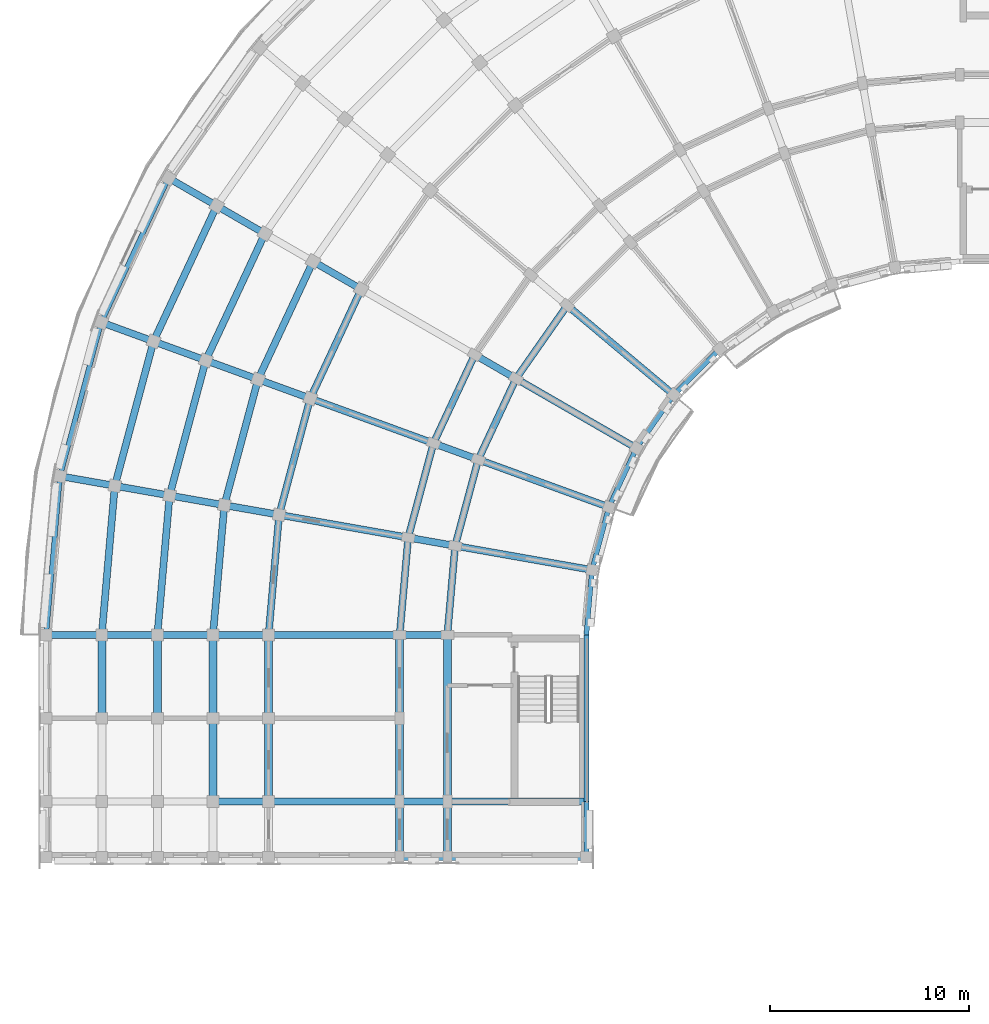
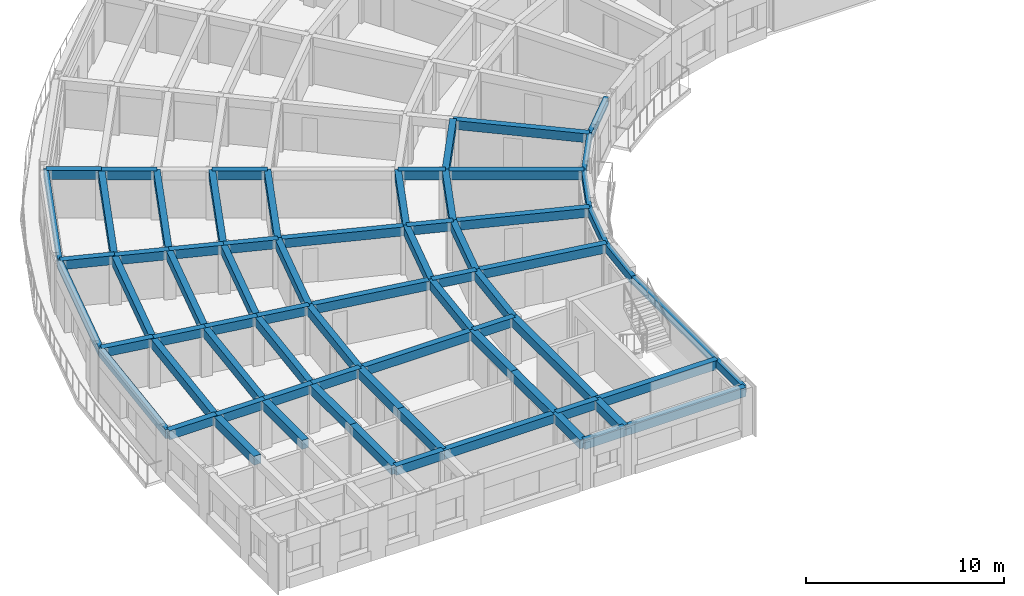
# One storey, part 3 of 36: 72 beams.
"""IFC4 building model written with IfcOpenShell, lengths in metres."""

from ifc_helpers import new_model, si_unit, direction, frame, origin, origin_2d, place, context, subcontext, project, spatial, rectangle, extrude, material, material_profile, profile_set, type_object, element, save


model = new_model("IFC4")

# Units and contexts
model_context = context("Model", 3, precision=1e-05, world=origin(), true_north=direction((0.0, 1.0)))
body_context = subcontext(model_context, "Body", "Model", "MODEL_VIEW")
ifc_project = project(units=[si_unit("LENGTHUNIT", "METRE"), si_unit("AREAUNIT", "SQUARE_METRE"), si_unit("VOLUMEUNIT", "CUBIC_METRE"), si_unit("PLANEANGLEUNIT", "RADIAN"), si_unit("MASSUNIT", "GRAM", prefix="KILO")], contexts=[model_context])

# Site, building, storey
site_placement = place(None, origin())
site = spatial("IfcSite", under=ifc_project, at=site_placement, CompositionType="ELEMENT")
building_placement = place(site_placement, origin())
building = spatial("IfcBuilding", under=site, at=building_placement, Name="Kiranvali Square Residences", CompositionType="ELEMENT")
storey_placement = place(building_placement, frame((0.0, 0.0, 37.050048828125)))
storey = spatial("IfcBuildingStorey", under=building, at=storey_placement, Name="L11", CompositionType="ELEMENT", Elevation=37.050048828125)

# Beams
ifc_material_1 = material(Name="Concrete M40 (40 MPa)", Category="concrete")
ifc_material_profile_1 = material_profile(ifc_material_1, rectangle(XDim=0.35009765625, YDim=0.550048828125, at=origin_2d()), Name="RC 350x550")
ifc_profile_set_1 = profile_set([ifc_material_profile_1], Name="Concrete M40 (40 MPa)")
beam_type_1 = type_object("IfcBeamType", Name="BM-M40-350x550", PredefinedType="BEAM", material=ifc_profile_set_1)
for number, where, z_axis, x_axis, name in (
    (1, (28.43603515625, 104.384033203125, 2.655029296875), (-0.573571637217, -0.819155404658, 0.0), (0.819155404658, -0.573571637217, 0.0), "L11 beam BM-A-L11-C05-R1"),
    (2, (25.8564453125, 100.699951171875, 2.655029296875), (-0.422617978463, -0.906307919131, 0.0), (0.906307919131, -0.422617978463, 0.0), "L11 beam BM-A-L11-C06-R1"),
):
    element("IfcBeam", number, at=place(storey_placement, frame(where, z_axis=z_axis, x_axis=x_axis)), inside=storey, type_object=beam_type_1, Name=name, PredefinedType="BEAM", context=body_context, shape_type="SweptSolid", body=[
        extrude(rectangle(XDim=0.35009765625, YDim=0.550048828125, at=origin_2d()), origin(), (0.0, 0.0, 1.0), 4.497314453125),
    ])
beam_1_placement = place(storey_placement, frame((23.778076171875, 101.89990234375, 2.655029296875), z_axis=(-0.422629854778, -0.906302381024, 0.0), x_axis=(0.906302381024, -0.422629854778, 0.0)))
element("IfcBeam", 3, at=beam_1_placement, inside=storey, type_object=beam_type_1, Name="L11 beam BM-A-L11-C06-R2", PredefinedType="BEAM", context=body_context, shape_type="SweptSolid", body=[
    extrude(rectangle(XDim=0.35009765625, YDim=0.550048828125, at=origin_2d()), origin(), (0.0, 0.0, 1.0), 4.915283203125),
])
beam_2_placement = place(storey_placement, frame((18.062255859375, 105.199951171875, 2.655029296875), z_axis=(-0.42260781991, -0.906312656069, 0.0), x_axis=(0.906312656069, -0.42260781991, 0.0)))
element("IfcBeam", 4, at=beam_2_placement, inside=storey, type_object=beam_type_1, Name="L11 beam BM-A-L11-C06-R3", PredefinedType="BEAM", context=body_context, shape_type="SweptSolid", body=[
    extrude(rectangle(XDim=0.35009765625, YDim=0.550048828125, at=origin_2d()), origin(), (0.0, 0.0, 1.0), 6.06591796875),
])
beam_3_placement = place(storey_placement, frame((15.637451171875, 106.60009765625, 2.655029296875), z_axis=(-0.422595876255, -0.906318225223, 0.0), x_axis=(0.906318225223, -0.422595876255, 0.0)))
element("IfcBeam", 5, at=beam_3_placement, inside=storey, type_object=beam_type_1, Name="L11 beam BM-A-L11-C06-R4", PredefinedType="BEAM", context=body_context, shape_type="SweptSolid", body=[
    extrude(rectangle(XDim=0.35009765625, YDim=0.550048828125, at=origin_2d()), origin(), (0.0, 0.0, 1.0), 6.55419921875),
])
beam_4_placement = place(storey_placement, frame((13.212646484375, 108.0, 2.655029296875), z_axis=(-0.422640621205, -0.906297360311, 0.0), x_axis=(0.906297360311, -0.422640621205, 0.0)))
element("IfcBeam", 6, at=beam_4_placement, inside=storey, type_object=beam_type_1, Name="L11 beam BM-A-L11-C06-R5", PredefinedType="BEAM", context=body_context, shape_type="SweptSolid", body=[
    extrude(rectangle(XDim=0.35009765625, YDim=0.550048828125, at=origin_2d()), origin(), (0.0, 0.0, 1.0), 7.042236328125),
])
beam_5_placement = place(storey_placement, frame((10.78759765625, 109.39990234375, 2.655029296875), z_axis=(-0.422613886933, -0.90630982703, 0.0), x_axis=(0.90630982703, -0.422613886933, 0.0)))
element("IfcBeam", 7, at=beam_5_placement, inside=storey, type_object=beam_type_1, Name="L11 beam BM-A-L11-C06-R6", PredefinedType="BEAM", context=body_context, shape_type="SweptSolid", body=[
    extrude(rectangle(XDim=0.35009765625, YDim=0.550048828125, at=origin_2d()), origin(), (0.0, 0.0, 1.0), 7.5302734375),
])
beam_6_placement = place(storey_placement, frame((23.955810546875, 96.6240234375, 2.655029296875), z_axis=(-0.258787642463, -0.965934240054, 0.0), x_axis=(0.965934240054, -0.258787642463, 0.0)))
element("IfcBeam", 8, at=beam_6_placement, inside=storey, type_object=beam_type_1, Name="L11 beam BM-A-L11-C07-R1", PredefinedType="BEAM", context=body_context, shape_type="SweptSolid", body=[
    extrude(rectangle(XDim=0.35009765625, YDim=0.550048828125, at=origin_2d()), origin(), (0.0, 0.0, 1.0), 4.497314453125),
])
beam_7_placement = place(storey_placement, frame((21.70068359375, 97.445068359375, 2.655029296875), z_axis=(-0.258803112091, -0.965930095386, 0.0), x_axis=(0.965930095386, -0.258803112091, 0.0)))
element("IfcBeam", 9, at=beam_7_placement, inside=storey, type_object=beam_type_1, Name="L11 beam BM-A-L11-C07-R2", PredefinedType="BEAM", context=body_context, shape_type="SweptSolid", body=[
    extrude(rectangle(XDim=0.35009765625, YDim=0.550048828125, at=origin_2d()), origin(), (0.0, 0.0, 1.0), 4.915771484375),
])
beam_8_placement = place(storey_placement, frame((15.498779296875, 99.702392578125, 2.655029296875), z_axis=(-0.258827283048, -0.965923618901, 0.0), x_axis=(0.965923618901, -0.258827283048, 0.0)))
element("IfcBeam", 10, at=beam_8_placement, inside=storey, type_object=beam_type_1, Name="L11 beam BM-A-L11-C07-R3", PredefinedType="BEAM", context=body_context, shape_type="SweptSolid", body=[
    extrude(rectangle(XDim=0.35009765625, YDim=0.550048828125, at=origin_2d()), origin(), (0.0, 0.0, 1.0), 6.066162109375),
])
beam_9_placement = place(storey_placement, frame((12.86767578125, 100.659912109375, 2.655029296875), z_axis=(-0.258847178297, -0.965918287583, 0.0), x_axis=(0.965918287583, -0.258847178297, 0.0)))
element("IfcBeam", 11, at=beam_9_placement, inside=storey, type_object=beam_type_1, Name="L11 beam BM-A-L11-C07-R4", PredefinedType="BEAM", context=body_context, shape_type="SweptSolid", body=[
    extrude(rectangle(XDim=0.35009765625, YDim=0.550048828125, at=origin_2d()), origin(), (0.0, 0.0, 1.0), 6.55419921875),
])
beam_10_placement = place(storey_placement, frame((10.236328125, 101.61767578125, 2.655029296875), z_axis=(-0.258799624492, -0.965931029817, 0.0), x_axis=(0.965931029817, -0.258799624492, 0.0)))
element("IfcBeam", 12, at=beam_10_placement, inside=storey, type_object=beam_type_1, Name="L11 beam BM-A-L11-C07-R5", PredefinedType="BEAM", context=body_context, shape_type="SweptSolid", body=[
    extrude(rectangle(XDim=0.35009765625, YDim=0.550048828125, at=origin_2d()), origin(), (0.0, 0.0, 1.0), 7.042236328125),
])
beam_11_placement = place(storey_placement, frame((7.605224609375, 102.5751953125, 2.655029296875), z_axis=(-0.258818733833, -0.965925909693, 0.0), x_axis=(0.965925909693, -0.258818733833, 0.0)))
element("IfcBeam", 13, at=beam_11_placement, inside=storey, type_object=beam_type_1, Name="L11 beam BM-A-L11-C07-R6", PredefinedType="BEAM", context=body_context, shape_type="SweptSolid", body=[
    extrude(rectangle(XDim=0.35009765625, YDim=0.550048828125, at=origin_2d()), origin(), (0.0, 0.0, 1.0), 7.5302734375),
])
beam_12_placement = place(storey_placement, frame((22.7919921875, 92.280029296875, 2.655029296875), z_axis=(-0.087187153726, -0.996191949488, 0.0), x_axis=(0.996191949488, -0.087187153726, 0.0)))
element("IfcBeam", 14, at=beam_12_placement, inside=storey, type_object=beam_type_1, Name="L11 beam BM-A-L11-C08-R1", PredefinedType="BEAM", context=body_context, shape_type="SweptSolid", body=[
    extrude(rectangle(XDim=0.35009765625, YDim=0.550048828125, at=origin_2d()), origin(), (0.0, 0.0, 1.0), 4.4970703125),
])
beam_13_placement = place(storey_placement, frame((20.428466796875, 92.69677734375, 2.655029296875), z_axis=(-0.087167566415, -0.996193663584, 0.0), x_axis=(0.996193663584, -0.087167566415, 0.0)))
element("IfcBeam", 15, at=beam_13_placement, inside=storey, type_object=beam_type_1, Name="L11 beam BM-A-L11-C08-R2", PredefinedType="BEAM", context=body_context, shape_type="SweptSolid", body=[
    extrude(rectangle(XDim=0.35009765625, YDim=0.550048828125, at=origin_2d()), origin(), (0.0, 0.0, 1.0), 4.91552734375),
])
beam_14_placement = place(storey_placement, frame((13.9287109375, 93.843017578125, 2.655029296875), z_axis=(-0.087174938512, -0.996193018494, 0.0), x_axis=(0.996193018494, -0.087174938512, 0.0)))
element("IfcBeam", 16, at=beam_14_placement, inside=storey, type_object=beam_type_1, Name="L11 beam BM-A-L11-C08-R3", PredefinedType="BEAM", context=body_context, shape_type="SweptSolid", body=[
    extrude(rectangle(XDim=0.35009765625, YDim=0.550048828125, at=origin_2d()), origin(), (0.0, 0.0, 1.0), 6.066162109375),
])
beam_15_placement = place(storey_placement, frame((11.171142578125, 94.3291015625, 2.655029296875), z_axis=(-0.0871295204, -0.996196991902, 0.0), x_axis=(0.996196991902, -0.0871295204, 0.0)))
element("IfcBeam", 17, at=beam_15_placement, inside=storey, type_object=beam_type_1, Name="L11 beam BM-A-L11-C08-R4", PredefinedType="BEAM", context=body_context, shape_type="SweptSolid", body=[
    extrude(rectangle(XDim=0.35009765625, YDim=0.550048828125, at=origin_2d()), origin(), (0.0, 0.0, 1.0), 6.553955078125),
])
beam_16_placement = place(storey_placement, frame((8.413818359375, 94.8154296875, 2.655029296875), z_axis=(-0.087156198737, -0.996194658198, 0.0), x_axis=(0.996194658198, -0.087156198737, 0.0)))
element("IfcBeam", 18, at=beam_16_placement, inside=storey, type_object=beam_type_1, Name="L11 beam BM-A-L11-C08-R5", PredefinedType="BEAM", context=body_context, shape_type="SweptSolid", body=[
    extrude(rectangle(XDim=0.35009765625, YDim=0.550048828125, at=origin_2d()), origin(), (0.0, 0.0, 1.0), 7.042236328125),
])
beam_17_placement = place(storey_placement, frame((5.65625, 95.301513671875, 2.655029296875), z_axis=(-0.087150058103, -0.996195195417, 0.0), x_axis=(0.996195195417, -0.087150058103, 0.0)))
element("IfcBeam", 19, at=beam_17_placement, inside=storey, type_object=beam_type_1, Name="L11 beam BM-A-L11-C08-R6", PredefinedType="BEAM", context=body_context, shape_type="SweptSolid", body=[
    extrude(rectangle(XDim=0.35009765625, YDim=0.550048828125, at=origin_2d()), origin(), (0.0, 0.0, 1.0), 7.530029296875),
])
for number, where, z_axis, x_axis, name in (
    (20, (33.79833984375, 99.884521484375, 2.655029296875), (-0.766044173478, 0.642787931032, 0.0), (-0.642787931032, -0.766044173478, 0.0), "L11 beam BM-A-L11-RAD05-01"),
    (21, (31.918701171875, 97.199951171875, 2.655029296875), (-0.866028190633, 0.499995173006, 0.0), (-0.499995173006, -0.866028190633, 0.0), "L11 beam BM-A-L11-RAD06-01"),
):
    element("IfcBeam", number, at=place(storey_placement, frame(where, z_axis=z_axis, x_axis=x_axis)), inside=storey, type_object=beam_type_1, Name=name, PredefinedType="BEAM", context=body_context, shape_type="SweptSolid", body=[
        extrude(rectangle(XDim=0.35009765625, YDim=0.550048828125, at=origin_2d()), origin(), (0.0, 0.0, 1.0), 7.0),
    ])
beam_18_placement = place(storey_placement, frame((25.8564453125, 100.699951171875, 2.655029296875), z_axis=(-0.866024647952, 0.500001309137, 0.0), x_axis=(-0.500001309137, -0.866024647952, 0.0)))
element("IfcBeam", 22, at=beam_18_placement, inside=storey, type_object=beam_type_1, Name="L11 beam BM-A-L11-RAD06-12", PredefinedType="BEAM", context=body_context, shape_type="SweptSolid", body=[
    extrude(rectangle(XDim=0.35009765625, YDim=0.550048828125, at=origin_2d()), origin(), (0.0, 0.0, 1.0), 2.39990234375),
])
for number, where, z_axis, x_axis, name in (
    (23, (18.062255859375, 105.199951171875, 2.655029296875), (-0.865996816683, 0.500049511043, 0.0), (-0.500049511043, -0.865996816683, 0.0), "L11 beam BM-A-L11-RAD06-34"),
    (24, (13.212646484375, 108.0, 2.655029296875), (-0.866056369097, 0.49994636267, 0.0), (-0.49994636267, -0.866056369097, 0.0), "L11 beam BM-A-L11-RAD06-56"),
    (25, (10.78759765625, 109.39990234375, 2.695068359375), (-0.865996816683, 0.500049511043, 0.0), (-0.500049511043, -0.865996816683, 0.0), "L11 beam BM-A-L11-RAD06-67"),
):
    element("IfcBeam", number, at=place(storey_placement, frame(where, z_axis=z_axis, x_axis=x_axis)), inside=storey, type_object=beam_type_1, Name=name, PredefinedType="BEAM", context=body_context, shape_type="SweptSolid", body=[
        extrude(rectangle(XDim=0.35009765625, YDim=0.550048828125, at=origin_2d()), origin(), (0.0, 0.0, 1.0), 2.800048828125),
    ])
beam_19_placement = place(storey_placement, frame((30.53369140625, 94.22998046875, 2.655029296875), z_axis=(-0.939697665127, 0.342006283793, 0.0), x_axis=(-0.342006283793, -0.939697665127, 0.0)))
element("IfcBeam", 26, at=beam_19_placement, inside=storey, type_object=beam_type_1, Name="L11 beam BM-A-L11-RAD07-01", PredefinedType="BEAM", context=body_context, shape_type="SweptSolid", body=[
    extrude(rectangle(XDim=0.35009765625, YDim=0.550048828125, at=origin_2d()), origin(), (0.0, 0.0, 1.0), 7.0),
])
beam_20_placement = place(storey_placement, frame((23.955810546875, 96.6240234375, 2.655029296875), z_axis=(-0.939659694648, 0.342110593602, 0.0), x_axis=(-0.342110593602, -0.939659694648, 0.0)))
element("IfcBeam", 27, at=beam_20_placement, inside=storey, type_object=beam_type_1, Name="L11 beam BM-A-L11-RAD07-12", PredefinedType="BEAM", context=body_context, shape_type="SweptSolid", body=[
    extrude(rectangle(XDim=0.35009765625, YDim=0.550048828125, at=origin_2d()), origin(), (0.0, 0.0, 1.0), 2.39990234375),
])
beam_21_placement = place(storey_placement, frame((21.70068359375, 97.445068359375, 2.655029296875), z_axis=(-0.939691858249, 0.342022238372, 0.0), x_axis=(-0.342022238372, -0.939691858249, 0.0)))
element("IfcBeam", 28, at=beam_21_placement, inside=storey, type_object=beam_type_1, Name="L11 beam BM-A-L11-RAD07-23", PredefinedType="BEAM", context=body_context, shape_type="SweptSolid", body=[
    extrude(rectangle(XDim=0.35009765625, YDim=0.550048828125, at=origin_2d()), origin(), (0.0, 0.0, 1.0), 6.599853515625),
])
beam_22_placement = place(storey_placement, frame((15.498779296875, 99.702392578125, 2.655029296875), z_axis=(-0.93970683422, 0.341981089711, 0.0), x_axis=(-0.341981089711, -0.93970683422, 0.0)))
element("IfcBeam", 29, at=beam_22_placement, inside=storey, type_object=beam_type_1, Name="L11 beam BM-A-L11-RAD07-34", PredefinedType="BEAM", context=body_context, shape_type="SweptSolid", body=[
    extrude(rectangle(XDim=0.35009765625, YDim=0.550048828125, at=origin_2d()), origin(), (0.0, 0.0, 1.0), 2.7998046875),
])
beam_23_placement = place(storey_placement, frame((12.86767578125, 100.659912109375, 2.655029296875), z_axis=(-0.939689011208, 0.342030060398, 0.0), x_axis=(-0.342030060398, -0.939689011208, 0.0)))
element("IfcBeam", 30, at=beam_23_placement, inside=storey, type_object=beam_type_1, Name="L11 beam BM-A-L11-RAD07-45", PredefinedType="BEAM", context=body_context, shape_type="SweptSolid", body=[
    extrude(rectangle(XDim=0.35009765625, YDim=0.550048828125, at=origin_2d()), origin(), (0.0, 0.0, 1.0), 2.80029296875),
])
beam_24_placement = place(storey_placement, frame((10.236328125, 101.61767578125, 2.655029296875), z_axis=(-0.93970683422, 0.341981089711, 0.0), x_axis=(-0.341981089711, -0.93970683422, 0.0)))
element("IfcBeam", 31, at=beam_24_placement, inside=storey, type_object=beam_type_1, Name="L11 beam BM-A-L11-RAD07-56", PredefinedType="BEAM", context=body_context, shape_type="SweptSolid", body=[
    extrude(rectangle(XDim=0.35009765625, YDim=0.550048828125, at=origin_2d()), origin(), (0.0, 0.0, 1.0), 2.7998046875),
])
beam_25_placement = place(storey_placement, frame((7.605224609375, 102.5751953125, 2.695068359375), z_axis=(-0.939678810556, 0.342058084236, 0.0), x_axis=(-0.342058084236, -0.939678810556, 0.0)))
element("IfcBeam", 32, at=beam_25_placement, inside=storey, type_object=beam_type_1, Name="L11 beam BM-A-L11-RAD07-67", PredefinedType="BEAM", context=body_context, shape_type="SweptSolid", body=[
    extrude(rectangle(XDim=0.35009765625, YDim=0.550048828125, at=origin_2d()), origin(), (0.0, 0.0, 1.0), 2.800048828125),
])
beam_26_placement = place(storey_placement, frame((29.685546875, 91.064697265625, 2.655029296875), z_axis=(-0.984812337125, 0.173622177865, 0.0), x_axis=(-0.173622177865, -0.984812337125, 0.0)))
element("IfcBeam", 33, at=beam_26_placement, inside=storey, type_object=beam_type_1, Name="L11 beam BM-A-L11-RAD08-01", PredefinedType="BEAM", context=body_context, shape_type="SweptSolid", body=[
    extrude(rectangle(XDim=0.35009765625, YDim=0.550048828125, at=origin_2d()), origin(), (0.0, 0.0, 1.0), 6.999755859375),
])
beam_27_placement = place(storey_placement, frame((22.7919921875, 92.280029296875, 2.655029296875), z_axis=(-0.984808127031, 0.173646056486, 0.0), x_axis=(-0.173646056486, -0.984808127031, 0.0)))
element("IfcBeam", 34, at=beam_27_placement, inside=storey, type_object=beam_type_1, Name="L11 beam BM-A-L11-RAD08-12", PredefinedType="BEAM", context=body_context, shape_type="SweptSolid", body=[
    extrude(rectangle(XDim=0.35009765625, YDim=0.550048828125, at=origin_2d()), origin(), (0.0, 0.0, 1.0), 2.39990234375),
])
beam_28_placement = place(storey_placement, frame((20.428466796875, 92.69677734375, 2.655029296875), z_axis=(-0.984803661269, 0.173671381499, 0.0), x_axis=(-0.173671381499, -0.984803661269, 0.0)))
element("IfcBeam", 35, at=beam_28_placement, inside=storey, type_object=beam_type_1, Name="L11 beam BM-A-L11-RAD08-23", PredefinedType="BEAM", context=body_context, shape_type="SweptSolid", body=[
    extrude(rectangle(XDim=0.35009765625, YDim=0.550048828125, at=origin_2d()), origin(), (0.0, 0.0, 1.0), 6.60009765625),
])
beam_29_placement = place(storey_placement, frame((13.9287109375, 93.843017578125, 2.655029296875), z_axis=(-0.984816895441, 0.173596320392, 0.0), x_axis=(-0.173596320392, -0.984816895441, 0.0)))
element("IfcBeam", 36, at=beam_29_placement, inside=storey, type_object=beam_type_1, Name="L11 beam BM-A-L11-RAD08-34", PredefinedType="BEAM", context=body_context, shape_type="SweptSolid", body=[
    extrude(rectangle(XDim=0.35009765625, YDim=0.550048828125, at=origin_2d()), origin(), (0.0, 0.0, 1.0), 2.800048828125),
])
beam_30_placement = place(storey_placement, frame((11.171142578125, 94.3291015625, 2.655029296875), z_axis=(-0.984799355489, 0.173695795656, 0.0), x_axis=(-0.173695795656, -0.984799355489, 0.0)))
element("IfcBeam", 37, at=beam_30_placement, inside=storey, type_object=beam_type_1, Name="L11 beam BM-A-L11-RAD08-45", PredefinedType="BEAM", context=body_context, shape_type="SweptSolid", body=[
    extrude(rectangle(XDim=0.35009765625, YDim=0.550048828125, at=origin_2d()), origin(), (0.0, 0.0, 1.0), 2.7998046875),
])
beam_31_placement = place(storey_placement, frame((8.413818359375, 94.8154296875, 2.655029296875), z_axis=(-0.984816895441, 0.173596320392, 0.0), x_axis=(-0.173596320392, -0.984816895441, 0.0)))
element("IfcBeam", 38, at=beam_31_placement, inside=storey, type_object=beam_type_1, Name="L11 beam BM-A-L11-RAD08-56", PredefinedType="BEAM", context=body_context, shape_type="SweptSolid", body=[
    extrude(rectangle(XDim=0.35009765625, YDim=0.550048828125, at=origin_2d()), origin(), (0.0, 0.0, 1.0), 2.800048828125),
])
beam_32_placement = place(storey_placement, frame((5.65625, 95.301513671875, 2.695068359375), z_axis=(-0.984799355489, 0.173695795656, 0.0), x_axis=(-0.173695795656, -0.984799355489, 0.0)))
element("IfcBeam", 39, at=beam_32_placement, inside=storey, type_object=beam_type_1, Name="L11 beam BM-A-L11-RAD08-67", PredefinedType="BEAM", context=body_context, shape_type="SweptSolid", body=[
    extrude(rectangle(XDim=0.35009765625, YDim=0.550048828125, at=origin_2d()), origin(), (0.0, 0.0, 1.0), 2.7998046875),
])
beam_33_placement = place(storey_placement, frame((22.39990234375, 87.800048828125, 2.655029296875), z_axis=(-1.0, 0.0, 0.0), x_axis=(0.0, -1.0, 0.0)))
element("IfcBeam", 40, at=beam_33_placement, inside=storey, type_object=beam_type_1, Name="L11 beam BM-A-L11-A2T0-12", PredefinedType="BEAM", context=body_context, shape_type="SweptSolid", body=[
    extrude(rectangle(XDim=0.35009765625, YDim=0.550048828125, at=origin_2d()), origin(), (0.0, 0.0, 1.0), 2.39990234375),
])
beam_34_placement = place(storey_placement, frame((20.0, 87.800048828125, 2.655029296875), z_axis=(-1.0, 0.0, 0.0), x_axis=(0.0, -1.0, 0.0)))
element("IfcBeam", 41, at=beam_34_placement, inside=storey, type_object=beam_type_1, Name="L11 beam BM-A-L11-A2T0-23", PredefinedType="BEAM", context=body_context, shape_type="SweptSolid", body=[
    extrude(rectangle(XDim=0.35009765625, YDim=0.550048828125, at=origin_2d()), origin(), (0.0, 0.0, 1.0), 6.60009765625),
])
beam_35_placement = place(storey_placement, frame((13.39990234375, 87.800048828125, 2.655029296875), z_axis=(-1.0, 0.0, 0.0), x_axis=(0.0, -1.0, 0.0)))
element("IfcBeam", 42, at=beam_35_placement, inside=storey, type_object=beam_type_1, Name="L11 beam BM-A-L11-A2T0-34", PredefinedType="BEAM", context=body_context, shape_type="SweptSolid", body=[
    extrude(rectangle(XDim=0.35009765625, YDim=0.550048828125, at=origin_2d()), origin(), (0.0, 0.0, 1.0), 2.7998046875),
])
for number, where, z_axis, x_axis, name in (
    (43, (10.60009765625, 87.800048828125, 2.655029296875), (-1.0, 0.0, 0.0), (0.0, -1.0, 0.0), "L11 beam BM-A-L11-A2T0-45"),
    (44, (7.800048828125, 87.800048828125, 2.655029296875), (-1.0, 0.0, 0.0), (0.0, -1.0, 0.0), "L11 beam BM-A-L11-A2T0-56"),
    (45, (5.0, 87.800048828125, 2.695068359375), (-1.0, 0.0, 0.0), (0.0, -1.0, 0.0), "L11 beam BM-A-L11-A2T0-67"),
):
    element("IfcBeam", number, at=place(storey_placement, frame(where, z_axis=z_axis, x_axis=x_axis)), inside=storey, type_object=beam_type_1, Name=name, PredefinedType="BEAM", context=body_context, shape_type="SweptSolid", body=[
        extrude(rectangle(XDim=0.35009765625, YDim=0.550048828125, at=origin_2d()), origin(), (0.0, 0.0, 1.0), 2.800048828125),
    ])
beam_36_placement = place(storey_placement, frame((29.39990234375, 79.39990234375, 2.655029296875), z_axis=(-1.0, 0.0, 0.0), x_axis=(0.0, -1.0, 0.0)))
element("IfcBeam", 46, at=beam_36_placement, inside=storey, type_object=beam_type_1, Name="L11 beam BM-A-L11-A2T1-01", PredefinedType="BEAM", context=body_context, shape_type="SweptSolid", body=[
    extrude(rectangle(XDim=0.35009765625, YDim=0.550048828125, at=origin_2d()), origin(), (0.0, 0.0, 1.0), 7.0),
])
beam_37_placement = place(storey_placement, frame((22.39990234375, 79.39990234375, 2.655029296875), z_axis=(-1.0, 0.0, 0.0), x_axis=(0.0, -1.0, 0.0)))
element("IfcBeam", 47, at=beam_37_placement, inside=storey, type_object=beam_type_1, Name="L11 beam BM-A-L11-A2T1-12", PredefinedType="BEAM", context=body_context, shape_type="SweptSolid", body=[
    extrude(rectangle(XDim=0.35009765625, YDim=0.550048828125, at=origin_2d()), origin(), (0.0, 0.0, 1.0), 2.39990234375),
])
beam_38_placement = place(storey_placement, frame((20.0, 79.39990234375, 2.655029296875), z_axis=(-1.0, 0.0, 0.0), x_axis=(0.0, -1.0, 0.0)))
element("IfcBeam", 48, at=beam_38_placement, inside=storey, type_object=beam_type_1, Name="L11 beam BM-A-L11-A2T1-23", PredefinedType="BEAM", context=body_context, shape_type="SweptSolid", body=[
    extrude(rectangle(XDim=0.35009765625, YDim=0.550048828125, at=origin_2d()), origin(), (0.0, 0.0, 1.0), 6.60009765625),
])
beam_39_placement = place(storey_placement, frame((13.39990234375, 79.39990234375, 2.655029296875), z_axis=(-1.0, 0.0, 0.0), x_axis=(0.0, -1.0, 0.0)))
element("IfcBeam", 49, at=beam_39_placement, inside=storey, type_object=beam_type_1, Name="L11 beam BM-A-L11-A2T1-34", PredefinedType="BEAM", context=body_context, shape_type="SweptSolid", body=[
    extrude(rectangle(XDim=0.35009765625, YDim=0.550048828125, at=origin_2d()), origin(), (0.0, 0.0, 1.0), 2.7998046875),
])
beam_40_placement = place(storey_placement, frame((29.39990234375, 76.60009765625, 2.655029296875), z_axis=(-1.0, 0.0, 0.0), x_axis=(0.0, -1.0, 0.0)))
element("IfcBeam", 50, at=beam_40_placement, inside=storey, type_object=beam_type_1, Name="L11 beam BM-A-L11-A2T2-01", PredefinedType="BEAM", context=body_context, shape_type="SweptSolid", body=[
    extrude(rectangle(XDim=0.35009765625, YDim=0.550048828125, at=origin_2d()), origin(), (0.0, 0.0, 1.0), 7.0),
])
beam_41_placement = place(storey_placement, frame((22.39990234375, 76.60009765625, 2.655029296875), z_axis=(-1.0, 0.0, 0.0), x_axis=(0.0, -1.0, 0.0)))
element("IfcBeam", 51, at=beam_41_placement, inside=storey, type_object=beam_type_1, Name="L11 beam BM-A-L11-A2T2-12", PredefinedType="BEAM", context=body_context, shape_type="SweptSolid", body=[
    extrude(rectangle(XDim=0.35009765625, YDim=0.550048828125, at=origin_2d()), origin(), (0.0, 0.0, 1.0), 2.39990234375),
])
ifc_material_2 = material(Name="Concrete M45 (45 MPa)", Category="concrete")
ifc_material_profile_2 = material_profile(ifc_material_2, rectangle(XDim=0.39990234375, YDim=0.550048828125, at=origin_2d()), Name="RC 400x550")
ifc_profile_set_2 = profile_set([ifc_material_profile_2], Name="Concrete M45 (45 MPa)")
beam_type_2 = type_object("IfcBeamType", Name="BM-M45-400x550", PredefinedType="BEAM", material=ifc_profile_set_2)
beam_42_placement = place(storey_placement, frame((22.39990234375, 87.800048828125, 2.655029296875), z_axis=(0.0, -1.0, 0.0), x_axis=(1.0, 0.0, 0.0)))
element("IfcBeam", 52, at=beam_42_placement, inside=storey, type_object=beam_type_2, Name="L11 beam BM-A-L11-A2V0-R1", PredefinedType="BEAM", context=body_context, shape_type="SweptSolid", body=[
    extrude(rectangle(XDim=0.39990234375, YDim=0.550048828125, at=origin_2d()), origin(), (0.0, 0.0, 1.0), 8.400146484375),
])
beam_43_placement = place(storey_placement, frame((22.39990234375, 79.39990234375, 2.655029296875), z_axis=(0.0, -1.0, 0.0), x_axis=(1.0, 0.0, 0.0)))
element("IfcBeam", 53, at=beam_43_placement, inside=storey, type_object=beam_type_2, Name="L11 beam BM-A-L11-A2V1-R1", PredefinedType="BEAM", context=body_context, shape_type="SweptSolid", body=[
    extrude(rectangle(XDim=0.39990234375, YDim=0.550048828125, at=origin_2d()), origin(), (0.0, 0.0, 1.0), 2.7998046875),
])
beam_44_placement = place(storey_placement, frame((20.0, 87.800048828125, 2.655029296875), z_axis=(0.0, -1.0, 0.0), x_axis=(1.0, 0.0, 0.0)))
element("IfcBeam", 54, at=beam_44_placement, inside=storey, type_object=beam_type_2, Name="L11 beam BM-A-L11-A2V0-R2", PredefinedType="BEAM", context=body_context, shape_type="SweptSolid", body=[
    extrude(rectangle(XDim=0.39990234375, YDim=0.550048828125, at=origin_2d()), origin(), (0.0, 0.0, 1.0), 4.199951171875),
])
beam_45_placement = place(storey_placement, frame((20.0, 83.60009765625, 2.655029296875), z_axis=(0.0, -1.0, 0.0), x_axis=(1.0, 0.0, 0.0)))
element("IfcBeam", 55, at=beam_45_placement, inside=storey, type_object=beam_type_2, Name="L11 beam BM-A-L11-A2V1-R2", PredefinedType="BEAM", context=body_context, shape_type="SweptSolid", body=[
    extrude(rectangle(XDim=0.39990234375, YDim=0.550048828125, at=origin_2d()), origin(), (0.0, 0.0, 1.0), 4.2001953125),
])
beam_46_placement = place(storey_placement, frame((20.0, 79.39990234375, 2.655029296875), z_axis=(0.0, -1.0, 0.0), x_axis=(1.0, 0.0, 0.0)))
element("IfcBeam", 56, at=beam_46_placement, inside=storey, type_object=beam_type_2, Name="L11 beam BM-A-L11-A2V2-R2", PredefinedType="BEAM", context=body_context, shape_type="SweptSolid", body=[
    extrude(rectangle(XDim=0.39990234375, YDim=0.550048828125, at=origin_2d()), origin(), (0.0, 0.0, 1.0), 2.7998046875),
])
beam_47_placement = place(storey_placement, frame((13.39990234375, 87.800048828125, 2.655029296875), z_axis=(0.0, -1.0, 0.0), x_axis=(1.0, 0.0, 0.0)))
element("IfcBeam", 57, at=beam_47_placement, inside=storey, type_object=beam_type_2, Name="L11 beam BM-A-L11-A2V0-R3", PredefinedType="BEAM", context=body_context, shape_type="SweptSolid", body=[
    extrude(rectangle(XDim=0.39990234375, YDim=0.550048828125, at=origin_2d()), origin(), (0.0, 0.0, 1.0), 4.199951171875),
])
beam_48_placement = place(storey_placement, frame((13.39990234375, 83.60009765625, 2.655029296875), z_axis=(0.0, -1.0, 0.0), x_axis=(1.0, 0.0, 0.0)))
element("IfcBeam", 58, at=beam_48_placement, inside=storey, type_object=beam_type_2, Name="L11 beam BM-A-L11-A2V1-R3", PredefinedType="BEAM", context=body_context, shape_type="SweptSolid", body=[
    extrude(rectangle(XDim=0.39990234375, YDim=0.550048828125, at=origin_2d()), origin(), (0.0, 0.0, 1.0), 4.2001953125),
])
beam_49_placement = place(storey_placement, frame((10.60009765625, 87.800048828125, 2.655029296875), z_axis=(0.0, -1.0, 0.0), x_axis=(1.0, 0.0, 0.0)))
element("IfcBeam", 59, at=beam_49_placement, inside=storey, type_object=beam_type_2, Name="L11 beam BM-A-L11-A2V0-R4", PredefinedType="BEAM", context=body_context, shape_type="SweptSolid", body=[
    extrude(rectangle(XDim=0.39990234375, YDim=0.550048828125, at=origin_2d()), origin(), (0.0, 0.0, 1.0), 4.199951171875),
])
beam_50_placement = place(storey_placement, frame((10.60009765625, 83.60009765625, 2.655029296875), z_axis=(0.0, -1.0, 0.0), x_axis=(1.0, 0.0, 0.0)))
element("IfcBeam", 60, at=beam_50_placement, inside=storey, type_object=beam_type_2, Name="L11 beam BM-A-L11-A2V1-R4", PredefinedType="BEAM", context=body_context, shape_type="SweptSolid", body=[
    extrude(rectangle(XDim=0.39990234375, YDim=0.550048828125, at=origin_2d()), origin(), (0.0, 0.0, 1.0), 4.2001953125),
])
for number, where, z_axis, x_axis, name in (
    (61, (7.800048828125, 87.800048828125, 2.655029296875), (0.0, -1.0, 0.0), (1.0, 0.0, 0.0), "L11 beam BM-A-L11-A2V0-R5"),
    (62, (5.0, 87.800048828125, 2.655029296875), (0.0, -1.0, 0.0), (1.0, 0.0, 0.0), "L11 beam BM-A-L11-A2V0-R6"),
):
    element("IfcBeam", number, at=place(storey_placement, frame(where, z_axis=z_axis, x_axis=x_axis)), inside=storey, type_object=beam_type_2, Name=name, PredefinedType="BEAM", context=body_context, shape_type="SweptSolid", body=[
        extrude(rectangle(XDim=0.39990234375, YDim=0.550048828125, at=origin_2d()), origin(), (0.0, 0.0, 1.0), 4.199951171875),
    ])
ifc_material_profile_3 = material_profile(ifc_material_1, rectangle(XDim=0.25, YDim=0.449951171875, at=origin_2d()), Name="RC 250x450")
ifc_profile_set_3 = profile_set([ifc_material_profile_3], Name="Concrete M40 (40 MPa)")
beam_type_3 = type_object("IfcBeamType", Name="SPN-M40-250x450", PredefinedType="SPANDREL", material=ifc_profile_set_3)
beam_51_placement = place(storey_placement, frame((29.39990234375, 87.800048828125, 2.704833984375), z_axis=(0.0, -1.0, 0.0), x_axis=(1.0, 0.0, 0.0)))
element("IfcBeam", 63, at=beam_51_placement, inside=storey, type_object=beam_type_3, Name="L11 beam BM-A-L11-A2V0-R0", PredefinedType="SPANDREL", context=body_context, shape_type="SweptSolid", body=[
    extrude(rectangle(XDim=0.25, YDim=0.449951171875, at=origin_2d()), origin(), (0.0, 0.0, 1.0), 8.400146484375),
])
beam_52_placement = place(storey_placement, frame((29.39990234375, 79.39990234375, 2.704833984375), z_axis=(0.0, -1.0, 0.0), x_axis=(1.0, 0.0, 0.0)))
element("IfcBeam", 64, at=beam_52_placement, inside=storey, type_object=beam_type_3, Name="L11 beam BM-A-L11-A2V1-R0", PredefinedType="SPANDREL", context=body_context, shape_type="SweptSolid", body=[
    extrude(rectangle(XDim=0.25, YDim=0.449951171875, at=origin_2d()), origin(), (0.0, 0.0, 1.0), 2.7998046875),
])
ifc_material_profile_4 = material_profile(ifc_material_1, rectangle(XDim=0.25, YDim=0.5, at=origin_2d()), Name="RC 250x500")
ifc_profile_set_4 = profile_set([ifc_material_profile_4], Name="Concrete M40 (40 MPa)")
beam_type_4 = type_object("IfcBeamType", Name="SPN-M40-250x500", PredefinedType="SPANDREL", material=ifc_profile_set_4)
beam_53_placement = place(storey_placement, frame((36.115478515625, 102.20166015625, 2.679931640625), z_axis=(-0.707106781187, -0.707106781187, 0.0), x_axis=(0.707106781187, -0.707106781187, 0.0)))
element("IfcBeam", 65, at=beam_53_placement, inside=storey, type_object=beam_type_4, Name="L11 beam BM-A-L11-C04-R0", PredefinedType="SPANDREL", context=body_context, shape_type="SweptSolid", body=[
    extrude(rectangle(XDim=0.25, YDim=0.5, at=origin_2d()), origin(), (0.0, 0.0, 1.0), 3.27685546875),
])
for number, where, z_axis, x_axis, name in (
    (66, (33.79833984375, 99.884521484375, 2.679931640625), (-0.573552337269, -0.81916891812, 0.0), (0.81916891812, -0.573552337269, 0.0), "L11 beam BM-A-L11-C05-R0"),
    (67, (31.918701171875, 97.199951171875, 2.679931640625), (-0.422640740585, -0.90629730464, 0.0), (0.90629730464, -0.422640740585, 0.0), "L11 beam BM-A-L11-C06-R0"),
):
    element("IfcBeam", number, at=place(storey_placement, frame(where, z_axis=z_axis, x_axis=x_axis)), inside=storey, type_object=beam_type_4, Name=name, PredefinedType="SPANDREL", context=body_context, shape_type="SweptSolid", body=[
        extrude(rectangle(XDim=0.25, YDim=0.5, at=origin_2d()), origin(), (0.0, 0.0, 1.0), 3.277099609375),
    ])
beam_54_placement = place(storey_placement, frame((30.53369140625, 94.22998046875, 2.679931640625), z_axis=(-0.258821736607, -0.965925105099, 0.0), x_axis=(0.965925105099, -0.258821736607, 0.0)))
element("IfcBeam", 68, at=beam_54_placement, inside=storey, type_object=beam_type_4, Name="L11 beam BM-A-L11-C07-R0", PredefinedType="SPANDREL", context=body_context, shape_type="SweptSolid", body=[
    extrude(rectangle(XDim=0.25, YDim=0.5, at=origin_2d()), origin(), (0.0, 0.0, 1.0), 3.27685546875),
])
beam_55_placement = place(storey_placement, frame((29.685546875, 91.064697265625, 2.679931640625), z_axis=(-0.087163253657, -0.996194040944, 0.0), x_axis=(0.996194040944, -0.087163253657, 0.0)))
element("IfcBeam", 69, at=beam_55_placement, inside=storey, type_object=beam_type_4, Name="L11 beam BM-A-L11-C08-R0", PredefinedType="SPANDREL", context=body_context, shape_type="SweptSolid", body=[
    extrude(rectangle(XDim=0.25, YDim=0.5, at=origin_2d()), origin(), (0.0, 0.0, 1.0), 3.277099609375),
])
ifc_material_profile_5 = material_profile(ifc_material_1, rectangle(XDim=0.25, YDim=0.550048828125, at=origin_2d()), Name="RC 250x550")
ifc_profile_set_5 = profile_set([ifc_material_profile_5], Name="Concrete M40 (40 MPa)")
beam_type_5 = type_object("IfcBeamType", Name="SPN-M40-250x550", PredefinedType="SPANDREL", material=ifc_profile_set_5)
for number, where, z_axis, x_axis, name in (
    (70, (8.36279296875, 110.800048828125, 2.695068359375), (-0.422615416827, -0.906309113636, 0.0), (0.906309113636, -0.422615416827, 0.0), "L11 beam BM-A-L11-C06-R7"),
    (71, (4.97412109375, 103.532958984375, 2.695068359375), (-0.258807108475, -0.96592902462, 0.0), (0.96592902462, -0.258807108475, 0.0), "L11 beam BM-A-L11-C07-R7"),
    (72, (2.89892578125, 95.787841796875, 2.695068359375), (-0.087172238171, -0.996193254792, 0.0), (0.996193254792, -0.087172238171, 0.0), "L11 beam BM-A-L11-C08-R7"),
):
    element("IfcBeam", number, at=place(storey_placement, frame(where, z_axis=z_axis, x_axis=x_axis)), inside=storey, type_object=beam_type_5, Name=name, PredefinedType="SPANDREL", context=body_context, shape_type="SweptSolid", body=[
        extrude(rectangle(XDim=0.25, YDim=0.550048828125, at=origin_2d()), origin(), (0.0, 0.0, 1.0), 8.018310546875),
    ])

save(model, "model.ifc")
